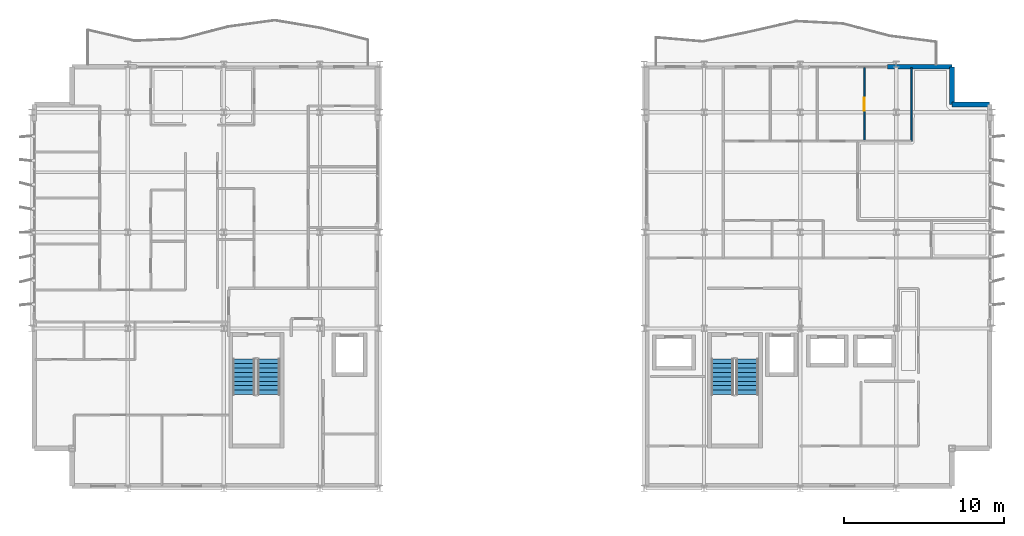
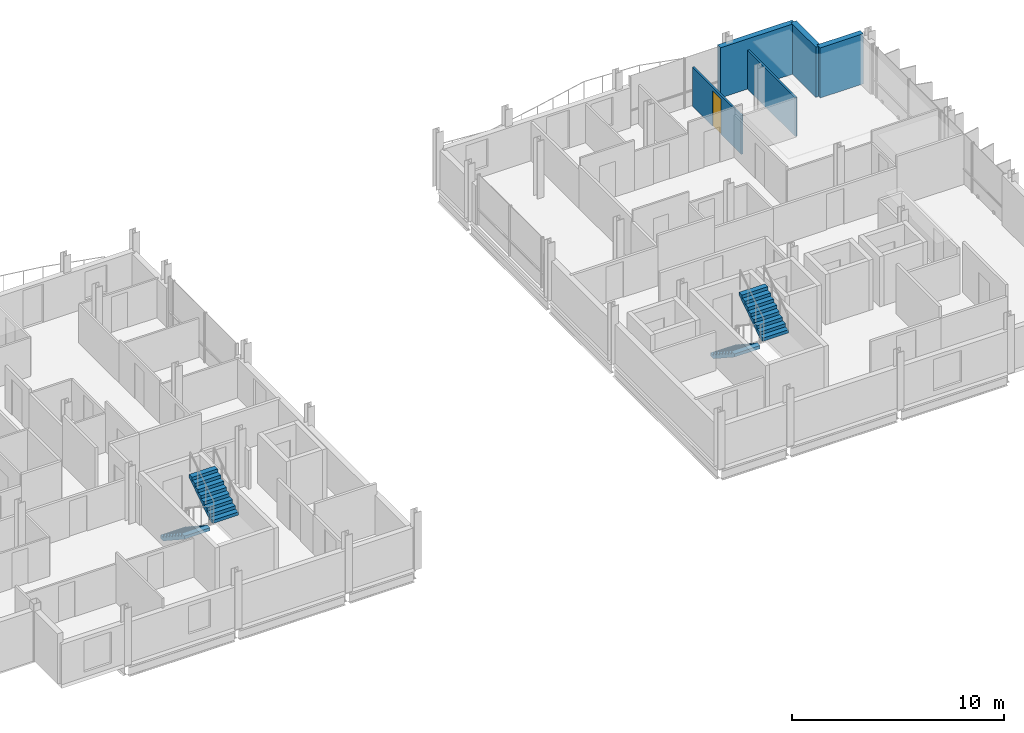
# One storey, part 26 of 30: 5 walls, 4 stair flights, 1 door, 1 opening, 2 elements without a shape of their own.
"""IFC4 building model written with IfcOpenShell, lengths in metres."""

from ifc_helpers import new_model, si_unit, direction, frame, frame_2d, origin, place, context, subcontext, project, spatial, polyline, rectangle, outline, extrude, material, layer, layer_set, type_object, element, fill, aggregate, save


model = new_model("IFC4")

# Units and contexts
model_context = context("Model", 3, precision=1e-05, world=origin(), true_north=direction((0.0, 1.0)))
body_context = subcontext(model_context, "Body", "Model", "MODEL_VIEW")
ifc_project = project(units=[si_unit("LENGTHUNIT", "METRE"), si_unit("AREAUNIT", "SQUARE_METRE"), si_unit("VOLUMEUNIT", "CUBIC_METRE"), si_unit("PLANEANGLEUNIT", "RADIAN"), si_unit("MASSUNIT", "GRAM", prefix="KILO")], contexts=[model_context])

# Site, building, storey
site_placement = place(None, origin())
site = spatial("IfcSite", under=ifc_project, at=site_placement, CompositionType="ELEMENT")
building_placement = place(site_placement, origin())
building = spatial("IfcBuilding", under=site, at=building_placement, Name="Brevholm Reach", CompositionType="ELEMENT")
storey_placement = place(building_placement, frame((0.0, 0.0, 211.10009765625)))
storey = spatial("IfcBuildingStorey", under=building, at=storey_placement, Name="L64", CompositionType="ELEMENT", Elevation=211.10009765625)

# Walls
ifc_material_1 = material(Name="Concrete C40/50", Category="concrete")
ifc_layer_1 = layer(ifc_material_1, 0.300048828125)
ifc_layer_set_1 = layer_set([ifc_layer_1], Name="Concrete C40/50")
wall_type_1 = type_object("IfcWallType", Name="WAL-EXT-300", PredefinedType="STANDARD", material=ifc_layer_set_1)
for number, where, z_axis, x_axis, name in (
    (1, (59.85009765625, 24.0, 0.0), (0.0, 0.0, 1.0), (-1.0, 0.0, 0.0), "L64 Facade Wall WAL-L64-EW-CNE1"),
    (2, (57.5, 24.0, 0.0), (0.0, 0.0, 1.0), (0.0, 1.0, 0.0), "L64 Facade Wall WAL-L64-EW-CNE2"),
):
    element("IfcWall", number, at=place(storey_placement, frame(where, z_axis=z_axis, x_axis=x_axis)), inside=storey, type_object=wall_type_1, Name=name, PredefinedType="STANDARD", context=body_context, shape_type="SweptSolid", body=[
        extrude(rectangle(XDim=2.35009765625, YDim=0.300048828125, at=frame_2d((1.175048828125, 0.0))), origin(), (0.0, 0.0, 1.0), 2.8798828125),
    ])
wall_1_placement = place(storey_placement, frame((53.449951171875, 26.35009765625, 0.0), z_axis=(0.0, 0.0, 1.0), x_axis=(1.0, 0.0, 0.0)))
element("IfcWall", 3, at=wall_1_placement, inside=storey, type_object=wall_type_1, Name="L64 Facade Wall WAL-L64-EW-NP2", PredefinedType="STANDARD", context=body_context, shape_type="SweptSolid", body=[
    extrude(rectangle(XDim=4.050048828125, YDim=0.300048828125, at=frame_2d((2.02490234375, 0.0))), origin(), (0.0, 0.0, 1.0), 2.8798828125),
])

# Wall, opening, door
ifc_material_2 = material(Name="Moisture-Resistant Acoustic Gypsum Stud Partition 100 mm", Category="gypsum")
ifc_layer_2 = layer(ifc_material_2, 0.10009765625)
ifc_layer_set_2 = layer_set([ifc_layer_2], Name="Moisture-Resistant Acoustic Gypsum Stud Partition 100 mm")
wall_type_2 = type_object("IfcWallType", Name="WAL-PRT-100", PredefinedType="PARTITIONING", material=ifc_layer_set_2)
wall_2_placement = place(storey_placement, frame((52.012939453125, 21.699951171875, 0.0), z_axis=(0.0, 0.0, 1.0), x_axis=(0.0, 1.0, 0.0)))
wall_2 = element("IfcWall", 4, at=wall_2_placement, inside=storey, type_object=wall_type_2, Name="L64 Internal Partition 086", PredefinedType="PARTITIONING", context=body_context, shape_type="SweptSolid", body=[
    extrude(rectangle(XDim=4.60009765625, YDim=0.10009765625, at=frame_2d((2.300048828125, 0.0))), origin(), (0.0, 0.0, 1.0), 2.234619140625),
])
opening_placement = place(wall_2_placement, frame((1.889892578125, 0.0, 0.0)))
opening = element("IfcOpeningElement", 5, at=opening_placement, cuts=wall_2, Name="Opening ID-03", PredefinedType="OPENING", context=body_context, shape_type="SweptSolid", body=[
    extrude(rectangle(XDim=0.820068359375, YDim=2.02001953125, at=frame_2d((0.41015625, 1.010009765625))), frame((0.0, 0.06005859375, 0.0), z_axis=(0.0, -1.0, 0.0), x_axis=(1.0, 0.0, 0.0)), (0.0, 0.0, 1.0), 0.1201171875),
])
ifc_material_3 = material(Name="Moisture-Resistant Painted Timber Internal Bathroom Door", Category="wood")
door_type = type_object("IfcDoorType", Name="DOR-BATH-820", OperationType="NOTDEFINED", PredefinedType="DOOR", material=ifc_material_3)
door_placement = place(opening_placement, origin())
door = element("IfcDoor", 6, at=door_placement, inside=storey, type_object=door_type, Name="L64 Access Door 040", OperationType="SINGLE_SWING_LEFT", OverallHeight=2.02001953125, OverallWidth=0.820068359375, PredefinedType="DOOR", context=body_context, shape_type="SweptSolid", body=[
    extrude(rectangle(XDim=0.820068359375, YDim=2.02001953125, at=frame_2d((0.41015625, 1.010009765625))), frame((0.0, 0.02490234375, 0.0), z_axis=(0.0, -1.0, 0.0), x_axis=(1.0, 0.0, 0.0)), (0.0, 0.0, 1.0), 0.050048828125),
])
fill(opening, door)

# Wall
wall_3_placement = place(storey_placement, frame((54.949951171875, 21.699951171875, 0.0), z_axis=(0.0, 0.0, 1.0), x_axis=(0.0, 1.0, 0.0)))
element("IfcWall", 7, at=wall_3_placement, inside=storey, type_object=wall_type_2, Name="L64 Internal Partition 090", PredefinedType="PARTITIONING", context=body_context, shape_type="SweptSolid", body=[
    extrude(rectangle(XDim=4.60009765625, YDim=0.10009765625, at=frame_2d((2.300048828125, 0.0))), origin(), (0.0, 0.0, 1.0), 2.234619140625),
])

# Stair, stair flights
ifc_material_4 = material(Name="Precast Concrete C40/50", Category="concrete")
stair_type = type_object("IfcStairType", Name="STR-ESC-1400", PredefinedType="DOUBLE_RETURN_STAIR", material=ifc_material_4)
stair_1_placement = place(storey_placement, origin())
stair_1 = element("IfcStair", 8, at=stair_1_placement, inside=storey, type_object=stair_type, Name="L64 ST-1", PredefinedType="DOUBLE_RETURN_STAIR")
ifc_material_5 = material(Name="Precast Concrete C40/50", Category="concrete")
ifc_layer_3 = layer(ifc_material_5, 0.18505859375)
ifc_layer_set_3 = layer_set([ifc_layer_3], Name="Precast Concrete C40/50")
stair_flight_type = type_object("IfcStairFlightType", Name="STF-PRC-185", PredefinedType="STRAIGHT", material=ifc_layer_set_3)
stair_flight_1_placement = place(storey_placement, frame((13.25, 8.10009765625, 0.0), z_axis=(0.0, 0.0, 1.0), x_axis=(0.0, -1.0, 0.0)))
stair_flight_1 = element("IfcStairFlight", 9, at=stair_flight_1_placement, type_object=stair_flight_type, Name="ST-1 flight 1", NumberOfRisers=9, NumberOfTreads=8, PredefinedType="STRAIGHT", RiserHeight=0.183333333, TreadLength=0.28, context=body_context, shape_type="SweptSolid", body=[
    extrude(outline(polyline([(0.0, 0.0), (0.0, 0.183349609375), (0.280029296875, 0.183349609375), (0.280029296875, 0.36669921875), (0.56005859375, 0.36669921875), (0.56005859375, 0.550048828125), (0.840087890625, 0.550048828125), (0.840087890625, 0.7333984375), (1.1201171875, 0.7333984375), (1.1201171875, 0.916748046875), (1.39990234375, 0.916748046875), (1.39990234375, 1.10009765625), (1.679931640625, 1.10009765625), (1.679931640625, 1.283447265625), (1.9599609375, 1.283447265625), (1.9599609375, 1.466552734375), (2.239990234375, 1.466552734375), (2.239990234375, 1.64990234375), (2.239990234375, 1.28759765625), (0.273681640625, 0.0), (0.0, 0.0)])), frame((0.0, 0.699951171875, 0.0), z_axis=(0.0, -1.0, 0.0), x_axis=(1.0, 0.0, 0.0)), (0.0, 0.0, 1.0), 1.39990234375),
])
stair_flight_2_placement = place(storey_placement, frame((14.800048828125, 5.860107421875, 1.64990234375), z_axis=(0.0, 0.0, 1.0), x_axis=(0.0, 1.0, 0.0)))
stair_flight_2 = element("IfcStairFlight", 10, at=stair_flight_2_placement, type_object=stair_flight_type, Name="ST-1 flight 2", NumberOfRisers=9, NumberOfTreads=8, PredefinedType="STRAIGHT", RiserHeight=0.183333333, TreadLength=0.28, context=body_context, shape_type="SweptSolid", body=[
    extrude(outline(polyline([(0.0, 0.0), (0.0, 0.183349609375), (0.280029296875, 0.183349609375), (0.280029296875, 0.36669921875), (0.56005859375, 0.36669921875), (0.56005859375, 0.550048828125), (0.840087890625, 0.550048828125), (0.840087890625, 0.7333984375), (1.1201171875, 0.7333984375), (1.1201171875, 0.916748046875), (1.39990234375, 0.916748046875), (1.39990234375, 1.10009765625), (1.679931640625, 1.10009765625), (1.679931640625, 1.283447265625), (1.9599609375, 1.283447265625), (1.9599609375, 1.466552734375), (2.239990234375, 1.466552734375), (2.239990234375, 1.64990234375), (2.239990234375, 1.28759765625), (0.273681640625, 0.0), (0.0, 0.0)])), frame((0.0, 0.699951171875, 0.0), z_axis=(0.0, -1.0, 0.0), x_axis=(1.0, 0.0, 0.0)), (0.0, 0.0, 1.0), 1.39990234375),
])
aggregate(stair_1, [stair_flight_1, stair_flight_2])

stair_2_placement = place(storey_placement, origin())
stair_2 = element("IfcStair", 11, at=stair_2_placement, inside=storey, type_object=stair_type, Name="L64 ST-2", PredefinedType="DOUBLE_RETURN_STAIR")
stair_flight_3_placement = place(storey_placement, frame((43.14990234375, 8.10009765625, 0.0), z_axis=(0.0, 0.0, 1.0), x_axis=(0.0, -1.0, 0.0)))
stair_flight_3 = element("IfcStairFlight", 12, at=stair_flight_3_placement, type_object=stair_flight_type, Name="ST-2 flight 1", NumberOfRisers=9, NumberOfTreads=8, PredefinedType="STRAIGHT", RiserHeight=0.183333333, TreadLength=0.28, context=body_context, shape_type="SweptSolid", body=[
    extrude(outline(polyline([(0.0, 0.0), (0.0, 0.183349609375), (0.280029296875, 0.183349609375), (0.280029296875, 0.36669921875), (0.56005859375, 0.36669921875), (0.56005859375, 0.550048828125), (0.840087890625, 0.550048828125), (0.840087890625, 0.7333984375), (1.1201171875, 0.7333984375), (1.1201171875, 0.916748046875), (1.39990234375, 0.916748046875), (1.39990234375, 1.10009765625), (1.679931640625, 1.10009765625), (1.679931640625, 1.283447265625), (1.9599609375, 1.283447265625), (1.9599609375, 1.466552734375), (2.239990234375, 1.466552734375), (2.239990234375, 1.64990234375), (2.239990234375, 1.28759765625), (0.273681640625, 0.0), (0.0, 0.0)])), frame((0.0, 0.699951171875, 0.0), z_axis=(0.0, -1.0, 0.0), x_axis=(1.0, 0.0, 0.0)), (0.0, 0.0, 1.0), 1.39990234375),
])
stair_flight_4_placement = place(storey_placement, frame((44.699951171875, 5.860107421875, 1.64990234375), z_axis=(0.0, 0.0, 1.0), x_axis=(0.0, 1.0, 0.0)))
stair_flight_4 = element("IfcStairFlight", 13, at=stair_flight_4_placement, type_object=stair_flight_type, Name="ST-2 flight 2", NumberOfRisers=9, NumberOfTreads=8, PredefinedType="STRAIGHT", RiserHeight=0.183333333, TreadLength=0.28, context=body_context, shape_type="SweptSolid", body=[
    extrude(outline(polyline([(0.0, 0.0), (0.0, 0.183349609375), (0.280029296875, 0.183349609375), (0.280029296875, 0.36669921875), (0.56005859375, 0.36669921875), (0.56005859375, 0.550048828125), (0.840087890625, 0.550048828125), (0.840087890625, 0.7333984375), (1.1201171875, 0.7333984375), (1.1201171875, 0.916748046875), (1.39990234375, 0.916748046875), (1.39990234375, 1.10009765625), (1.679931640625, 1.10009765625), (1.679931640625, 1.283447265625), (1.9599609375, 1.283447265625), (1.9599609375, 1.466552734375), (2.239990234375, 1.466552734375), (2.239990234375, 1.64990234375), (2.239990234375, 1.28759765625), (0.273681640625, 0.0), (0.0, 0.0)])), frame((0.0, 0.699951171875, 0.0), z_axis=(0.0, -1.0, 0.0), x_axis=(1.0, 0.0, 0.0)), (0.0, 0.0, 1.0), 1.39990234375),
])
aggregate(stair_2, [stair_flight_3, stair_flight_4])

save(model, "model.ifc")
